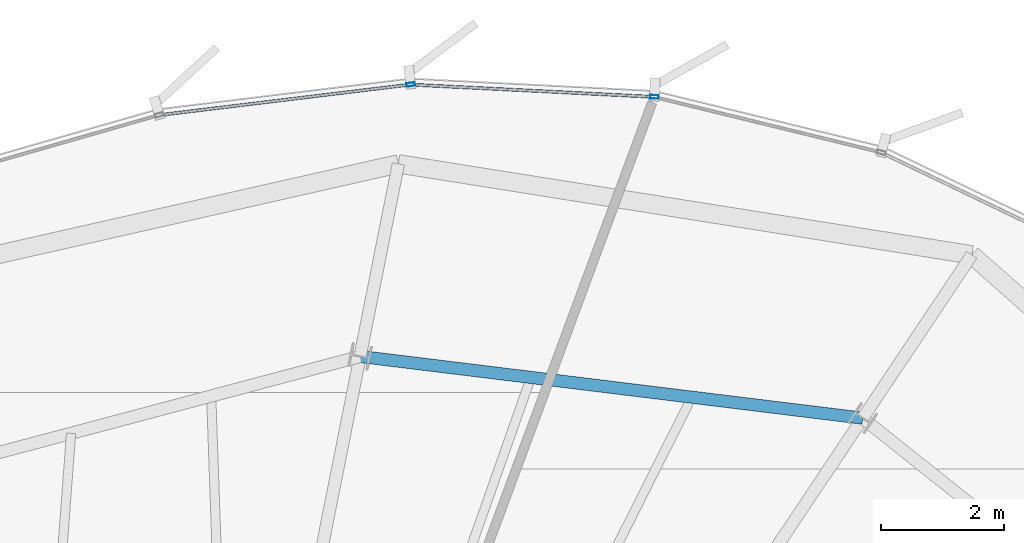
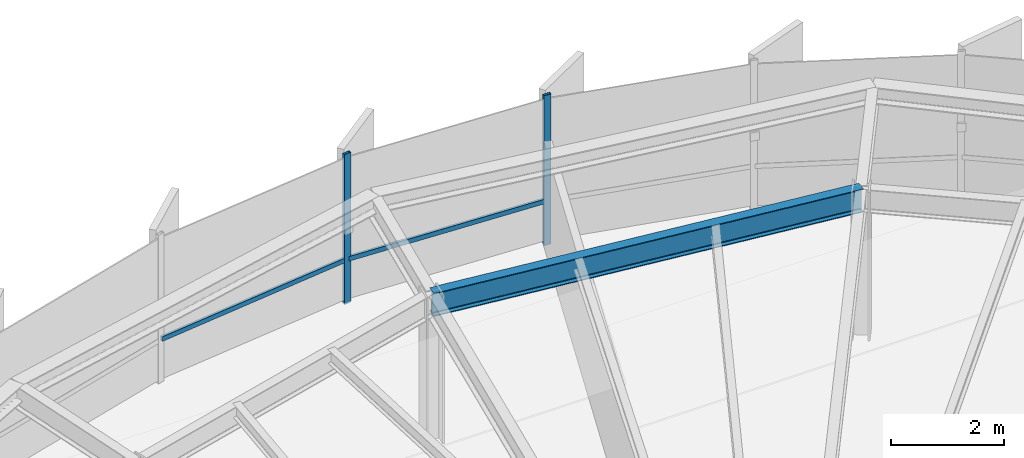
# One storey, part 23 of 34: 4 members, 1 beam, 1 element without a shape of its own.
"""IFC4 building model written with IfcOpenShell, lengths in metres."""

import ifcopenshell
import ifcopenshell.guid

model = None  # the IFC model being written
_history = None  # IfcOwnerHistory: only IFC2X3 demands one
_inside = {}  # id of a spatial element -> (the spatial element, [elements in it])
_under = {}  # id of a project, library or spatial element -> (it, [spatial elements below it])
_declared = {}  # id of a project -> (the project, [libraries it declares])
_typed = {}  # id of a type object -> (the type object, [elements of that type])
_made_of = {}  # id of a material, layer set ... -> (it, [elements and type objects made of it])


def new_model(schema):
    """Start an empty IFC model of exactly this schema.

    Asked for "IFC4X3", IfcOpenShell would pick the latest addendum, in which some entities
    have other attributes; the version numbers below select the first issue.
    IFC2X3 requires an IfcOwnerHistory on every rooted entity: one is made here for all.
    """
    global model, _history
    if schema == "IFC4X3":
        model = ifcopenshell.file(schema_version=(4, 3, 0, 0))
    else:
        model = ifcopenshell.file(schema=schema)
    _inside.clear()
    _under.clear()
    _declared.clear()
    _typed.clear()
    _made_of.clear()
    _history = None
    if model.schema == "IFC2X3":
        org = make("IfcOrganization", Name="unknown")
        user = make(
            "IfcPersonAndOrganization",
            ThePerson=make("IfcPerson", FamilyName="unknown"),
            TheOrganization=org,
        )
        app = make(
            "IfcApplication",
            ApplicationDeveloper=org,
            Version="unknown",
            ApplicationFullName="unknown",
            ApplicationIdentifier="unknown",
        )
        _history = make(
            "IfcOwnerHistory",
            OwningUser=user,
            OwningApplication=app,
            ChangeAction="ADDED",
            CreationDate=0,
        )
    return model


def make(cls, **values):
    """One entity of the class cls with the attributes given. An attribute that is None is left unset."""
    return model.create_entity(
        cls, **{name: value for name, value in values.items() if value is not None}
    )


def rooted(cls, **values):
    """An entity with a GlobalId (a new one), such as an element, a storey or a relation."""
    return make(cls, GlobalId=ifcopenshell.guid.new(), OwnerHistory=_history, **values)


def si_unit(unit_type, name, prefix=None):
    """IfcSIUnit, for example si_unit("LENGTHUNIT", "METRE", prefix="MILLI")."""
    return make("IfcSIUnit", UnitType=unit_type, Prefix=prefix, Name=name)


def assignment(units):
    """IfcUnitAssignment: the units of a project."""
    return None if units is None else make("IfcUnitAssignment", Units=units)


def point(xyz):
    """IfcCartesianPoint."""
    return None if xyz is None else make("IfcCartesianPoint", Coordinates=xyz)


def direction(xyz):
    """IfcDirection."""
    return None if xyz is None else make("IfcDirection", DirectionRatios=xyz)


def frame(location, z_axis=None, x_axis=None):
    """IfcAxis2Placement3D, a coordinate frame: its origin and axes. An axis left out is left unset."""
    return make(
        "IfcAxis2Placement3D",
        Location=point(location),
        Axis=direction(z_axis),
        RefDirection=direction(x_axis),
    )


def frame_2d(location, x_axis=None):
    """IfcAxis2Placement2D, a coordinate frame in the plane: its origin and x axis."""
    return make(
        "IfcAxis2Placement2D", Location=point(location), RefDirection=direction(x_axis)
    )


def origin():
    """The frame at (0, 0, 0) with its axes left unset."""
    return frame((0.0, 0.0, 0.0))


def origin_2d():
    """The frame at (0, 0) in the plane with its x axis left unset."""
    return frame_2d((0.0, 0.0))


def place(relative_to, where):
    """IfcLocalPlacement: puts the frame where relative to a parent placement (None: the world)."""
    return make(
        "IfcLocalPlacement", PlacementRelTo=relative_to, RelativePlacement=where
    )


def context(
    kind, dimensions, precision=None, world=None, true_north=None, identifier=None
):
    """IfcGeometricRepresentationContext, for example the 3D "Model" context."""
    return make(
        "IfcGeometricRepresentationContext",
        ContextIdentifier=identifier,
        ContextType=kind,
        CoordinateSpaceDimension=dimensions,
        Precision=precision,
        WorldCoordinateSystem=world,
        TrueNorth=true_north,
    )


def subcontext(parent, identifier, kind, view, scale=None):
    """IfcGeometricRepresentationSubContext, for example "Body" below "Model"."""
    return make(
        "IfcGeometricRepresentationSubContext",
        ContextIdentifier=identifier,
        ContextType=kind,
        ParentContext=parent,
        TargetScale=scale,
        TargetView=view,
    )


def project(units=None, contexts=None):
    """IfcProject with its units and contexts."""
    return rooted(
        "IfcProject",
        Name="project",
        RepresentationContexts=contexts,
        UnitsInContext=assignment(units),
    )


def spatial(cls, under=None, at=None, **own):
    """A site, building, storey or space (cls), placed at a placement, below another one or the project."""
    s = rooted(cls, ObjectPlacement=at, **own)
    if under is not None:
        _under.setdefault(under.id(), (under, []))[1].append(s)
    return s


def profile(cls, at=None, kind="AREA", **sizes):
    """A parametric profile (cls). Its sizes go by their IFC names, for example OverallWidth=200.0."""
    return make(cls, ProfileType=kind, Position=at, **sizes)


def hollow_rectangle(**sizes):
    """IfcRectangleHollowProfileDef."""
    return profile("IfcRectangleHollowProfileDef", **sizes)


def i_section(**sizes):
    """IfcIShapeProfileDef."""
    return profile("IfcIShapeProfileDef", **sizes)


def extrude(swept, where, along, depth):
    """IfcExtrudedAreaSolid: the profile swept, set in the frame where, extruded along a direction by depth."""
    return make(
        "IfcExtrudedAreaSolid",
        SweptArea=swept,
        Position=where,
        ExtrudedDirection=direction(along),
        Depth=depth,
    )


def shape(context_of_items, identifier, shape_type, items):
    """IfcShapeRepresentation: the items that make up one representation, for example the "Body"."""
    return make(
        "IfcShapeRepresentation",
        ContextOfItems=context_of_items,
        RepresentationIdentifier=identifier,
        RepresentationType=shape_type,
        Items=items,
    )


def source(mapping_origin, context_of_items, identifier, shape_type, items):
    """IfcRepresentationMap: a shape defined once, which mapped items show again and again."""
    return make(
        "IfcRepresentationMap",
        MappingOrigin=mapping_origin,
        MappedRepresentation=shape(context_of_items, identifier, shape_type, items),
    )


def transform(
    local_origin,
    x_axis=None,
    y_axis=None,
    z_axis=None,
    scale=None,
    scale2=None,
    scale3=None,
    uniform=True,
):
    """IfcCartesianTransformationOperator3D, or its non-uniform kind. x_axis, y_axis, z_axis: its Axis1, 2, 3."""
    if uniform:
        return make(
            "IfcCartesianTransformationOperator3D",
            Axis1=direction(x_axis),
            Axis2=direction(y_axis),
            LocalOrigin=point(local_origin),
            Scale=scale,
            Axis3=direction(z_axis),
        )
    return make(
        "IfcCartesianTransformationOperator3DnonUniform",
        Axis1=direction(x_axis),
        Axis2=direction(y_axis),
        LocalOrigin=point(local_origin),
        Scale=scale,
        Axis3=direction(z_axis),
        Scale2=scale2,
        Scale3=scale3,
    )


def mapped(mapping_source, mapping_target):
    """IfcMappedItem: shows the shape of a source again, moved by a transform."""
    return make(
        "IfcMappedItem", MappingSource=mapping_source, MappingTarget=mapping_target
    )


def material(Name=None, Category=None):
    """IfcMaterial."""
    return make("IfcMaterial", Name=Name, Category=Category)


def layer(
    of_material, thickness, ventilated=None, Name=None, Category=None, Priority=None
):
    """IfcMaterialLayer: one layer of a wall or slab, of a material (None: an air gap)."""
    return make(
        "IfcMaterialLayer",
        Material=of_material,
        LayerThickness=thickness,
        IsVentilated=ventilated,
        Name=Name,
        Category=Category,
        Priority=Priority,
    )


def layer_set(layers, Name=None):
    """IfcMaterialLayerSet."""
    return make("IfcMaterialLayerSet", MaterialLayers=layers, LayerSetName=Name)


def material_profile(
    of_material, cross_section, Name=None, Category=None, Priority=None
):
    """IfcMaterialProfile: a cross section and its material."""
    return make(
        "IfcMaterialProfile",
        Name=Name,
        Material=of_material,
        Profile=cross_section,
        Priority=Priority,
        Category=Category,
    )


def profile_set(profiles, Name=None, composite=None):
    """IfcMaterialProfileSet."""
    return make(
        "IfcMaterialProfileSet",
        Name=Name,
        MaterialProfiles=profiles,
        CompositeProfile=composite,
    )


def made_of(thing, what):
    """Note that an element or type object is made of a material, layer set ...; save() writes the relation."""
    if what is not None:
        _made_of.setdefault(what.id(), (what, []))[1].append(thing)
    return thing


def type_object(cls, material=None, **own):
    """A type object (cls), such as IfcWallType, which elements share."""
    return made_of(rooted(cls, **own), material)


def element(
    cls,
    number,
    at=None,
    inside=None,
    cuts=None,
    type_object=None,
    material=None,
    context=None,
    identifier="Body",
    shape_type=None,
    held_by="IfcProductDefinitionShape",
    body=None,
    shapes=None,
    **own,
):
    """One element of the class cls, such as IfcWall. Its Tag is "e" and its number.

    at: its placement. inside: the storey or other place that contains it. cuts: it is an
    opening in that element (IfcRelVoidsElement). A single representation is given by context,
    identifier, shape_type and body (its items); several are given by shapes. held_by: the class
    of the entity that holds the representations. save() writes the other relations.
    """
    e = rooted(cls, Tag="e%d" % number, ObjectPlacement=at, **own)
    if body is not None:
        shapes = [shape(context, identifier, shape_type, body)]
    if shapes is not None:
        e.Representation = make(held_by, Representations=shapes)
    if inside is not None:
        _inside.setdefault(inside.id(), (inside, []))[1].append(e)
    if cuts is not None:
        rooted(
            "IfcRelVoidsElement", RelatingBuildingElement=cuts, RelatedOpeningElement=e
        )
    if type_object is not None:
        _typed.setdefault(type_object.id(), (type_object, []))[1].append(e)
    return made_of(e, material)


def aggregate(whole, parts):
    """IfcRelAggregates: a whole, such as a stair, and the parts it consists of."""
    return rooted("IfcRelAggregates", RelatingObject=whole, RelatedObjects=parts)


def save(model, path):
    """Write the relations noted so far, then the file.

    IfcRelAggregates (storeys below a building ...), IfcRelContainedInSpatialStructure (elements
    in a storey), IfcRelDefinesByType, IfcRelAssociatesMaterial and IfcRelDeclares: one each for
    every whole, place, type object, material and project.
    """
    for whole, parts in _under.values():
        aggregate(whole, parts)
    for where, things in _inside.values():
        rooted(
            "IfcRelContainedInSpatialStructure",
            RelatedElements=things,
            RelatingStructure=where,
        )
    for kind, things in _typed.values():
        rooted("IfcRelDefinesByType", RelatedObjects=things, RelatingType=kind)
    for what, things in _made_of.values():
        rooted("IfcRelAssociatesMaterial", RelatedObjects=things, RelatingMaterial=what)
    for by, libraries in _declared.values():
        rooted("IfcRelDeclares", RelatingContext=by, RelatedDefinitions=libraries)
    model.write(path)


model = new_model("IFC4")

# Units and contexts
model_context = context("Model", 3, precision=1e-05, world=origin(), true_north=direction((0.0, 1.0)))
body_context = subcontext(model_context, "Body", "Model", "MODEL_VIEW")
ifc_project = project(units=[si_unit("LENGTHUNIT", "METRE"), si_unit("AREAUNIT", "SQUARE_METRE"), si_unit("VOLUMEUNIT", "CUBIC_METRE"), si_unit("PLANEANGLEUNIT", "RADIAN"), si_unit("MASSUNIT", "GRAM", prefix="KILO"), si_unit("THERMODYNAMICTEMPERATUREUNIT", "KELVIN")], contexts=[model_context])

# Site, building, storey
site_placement = place(None, origin())
site = spatial("IfcSite", under=ifc_project, at=site_placement, CompositionType="ELEMENT")
building_placement = place(site_placement, origin())
building = spatial("IfcBuilding", under=site, at=building_placement, Name="Kethvar Cultural Tower", CompositionType="ELEMENT")
storey_placement = place(building_placement, frame((0.0, 0.0, 214.89990234375)))
storey = spatial("IfcBuildingStorey", under=building, at=storey_placement, Name="L56", CompositionType="ELEMENT", Elevation=214.89990234375)

# Beam
ifc_material_1 = material(Name="Steel S355J2", Category="steel")
ifc_material_profile_1 = material_profile(ifc_material_1, i_section(OverallWidth=0.199951171875, OverallDepth=0.5, WebThickness=0.01025390625, FlangeThickness=0.01611328125, FilletRadius=0.02099609375, at=origin_2d()), Name="Steel S355J2 — IPE500")
ifc_profile_set_1 = profile_set([ifc_material_profile_1], Name="Steel S355J2 — IPE500")
beam_type = type_object("IfcBeamType", Name="BM-IPE500", PredefinedType="BEAM", material=ifc_profile_set_1)
shared_shape_1 = source(origin(), body_context, "Body", "SweptSolid", [
    extrude(i_section(OverallWidth=0.199951171875, OverallDepth=0.5, WebThickness=0.01025390625, FlangeThickness=0.01611328125, FilletRadius=0.02099609375, at=origin_2d()), origin(), (0.0, 0.0, 1.0), 8.252685546875),
])
beam_placement = place(storey_placement, frame((58.748046875, 45.681396484375, 2.988037109375), z_axis=(-0.992540943467, 0.121911753093, 0.0), x_axis=(-0.121911753093, -0.992540943467, 0.0)))
element("IfcBeam", 1, at=beam_placement, inside=storey, type_object=beam_type, Name="L56 Column Ring Tie Beam CR-03", PredefinedType="BEAM", context=body_context, shape_type="MappedRepresentation", body=[
    mapped(shared_shape_1, transform((0.0, 0.0, 0.0), scale=1.0)),
])

# Curtain wall, members
ifc_material_2 = material(Name="Aluminium 6063-T6", Category="aluminium")
ifc_layer = layer(ifc_material_2, 0.179931640625, Name="Aluminium 6063-T6", Category="aluminium")
ifc_layer_set = layer_set([ifc_layer], Name="Aluminium 6063-T6 (180 mm)")
curtain_wall_type = type_object("IfcCurtainWallType", Name="CW-SYS-04-Z34", PredefinedType="NOTDEFINED", material=ifc_layer_set)
curtain_wall_placement = place(storey_placement, origin())
curtain_wall = element("IfcCurtainWall", 2, at=curtain_wall_placement, inside=storey, type_object=curtain_wall_type, Name="L56 Curtain Wall Run 01", PredefinedType="NOTDEFINED")
ifc_material_profile_2 = material_profile(ifc_material_2, hollow_rectangle(XDim=0.06005859375, YDim=0.139892578125, WallThickness=0.0048828125, at=origin_2d()), Name="Aluminium 6063-T6 — RHS140x60x5")
ifc_profile_set_2 = profile_set([ifc_material_profile_2], Name="Aluminium 6063-T6 — RHS140x60x5")
member_type_1 = type_object("IfcMemberType", Name="CW-SYS-04-Z34-MUL", PredefinedType="MULLION", material=ifc_profile_set_2)
shared_shape_2 = source(origin(), body_context, "Body", "SweptSolid", [
    extrude(hollow_rectangle(XDim=0.06005859375, YDim=0.139892578125, WallThickness=0.0048828125, at=origin_2d()), origin(), (0.0, 0.0, 1.0), 3.239990234375),
])
member_1_placement = place(storey_placement, frame((55.351806640625, 50.917236328125, 0.0), z_axis=(0.0, 0.0, 1.0), x_axis=(-0.050383767676, -0.99872993144, 0.0)))
member_1 = element("IfcMember", 3, at=member_1_placement, type_object=member_type_1, Name="CW-L56-R01 Mullion 4", PredefinedType="MULLION", context=body_context, shape_type="MappedRepresentation", body=[
    mapped(shared_shape_2, transform((0.0, 0.0, 0.0), scale=1.0)),
])
member_2_placement = place(storey_placement, frame((51.382568359375, 51.119140625, 0.0), z_axis=(0.0, 0.0, 1.0), x_axis=(0.120708606058, -0.992687983418, 0.0)))
member_2 = element("IfcMember", 4, at=member_2_placement, type_object=member_type_1, Name="CW-L56-R01 Mullion 5", PredefinedType="MULLION", context=body_context, shape_type="MappedRepresentation", body=[
    mapped(shared_shape_2, transform((0.0, 0.0, 0.0), scale=1.0)),
])
ifc_material_profile_3 = material_profile(ifc_material_2, hollow_rectangle(XDim=0.050048828125, YDim=0.10009765625, WallThickness=0.00390625, at=origin_2d()), Name="Aluminium 6063-T6 — RHS100x50x4")
ifc_profile_set_3 = profile_set([ifc_material_profile_3], Name="Aluminium 6063-T6 — RHS100x50x4")
member_type_2 = type_object("IfcMemberType", Name="CW-SYS-04-Z34-TRN", PredefinedType="USERDEFINED", material=ifc_profile_set_3)
shared_shape_3 = source(origin(), body_context, "Body", "SweptSolid", [
    extrude(hollow_rectangle(XDim=0.050048828125, YDim=0.10009765625, WallThickness=0.00390625, at=origin_2d()), origin(), (0.0, 0.0, 1.0), 3.906494140625),
])
member_3_placement = place(storey_placement, frame((55.30859375, 50.91943359375, 0.9501953125), z_axis=(-0.998730582093, 0.050370868479, 0.0), x_axis=(-0.050370868479, -0.998730582093, 0.0)))
member_3 = element("IfcMember", 5, at=member_3_placement, type_object=member_type_2, Name="CW-L56-R01 Transom 4", ObjectType="TRANSOM", PredefinedType="USERDEFINED", context=body_context, shape_type="MappedRepresentation", body=[
    mapped(shared_shape_3, transform((0.0, 0.0, 0.0), scale=1.0)),
])
shared_shape_4 = source(origin(), body_context, "Body", "SweptSolid", [
    extrude(hollow_rectangle(XDim=0.050048828125, YDim=0.10009765625, WallThickness=0.00390625, at=origin_2d()), origin(), (0.0, 0.0, 1.0), 4.060791015625),
])
member_4_placement = place(storey_placement, frame((51.339599609375, 51.114013671875, 0.9501953125), z_axis=(-0.992685822927, -0.120726372263, 0.0), x_axis=(0.120726372263, -0.992685822927, 0.0)))
member_4 = element("IfcMember", 6, at=member_4_placement, type_object=member_type_2, Name="CW-L56-R01 Transom 5", ObjectType="TRANSOM", PredefinedType="USERDEFINED", context=body_context, shape_type="MappedRepresentation", body=[
    mapped(shared_shape_4, transform((0.0, 0.0, 0.0), scale=1.0)),
])
aggregate(curtain_wall, [member_1, member_2, member_3, member_4])

save(model, "model.ifc")
